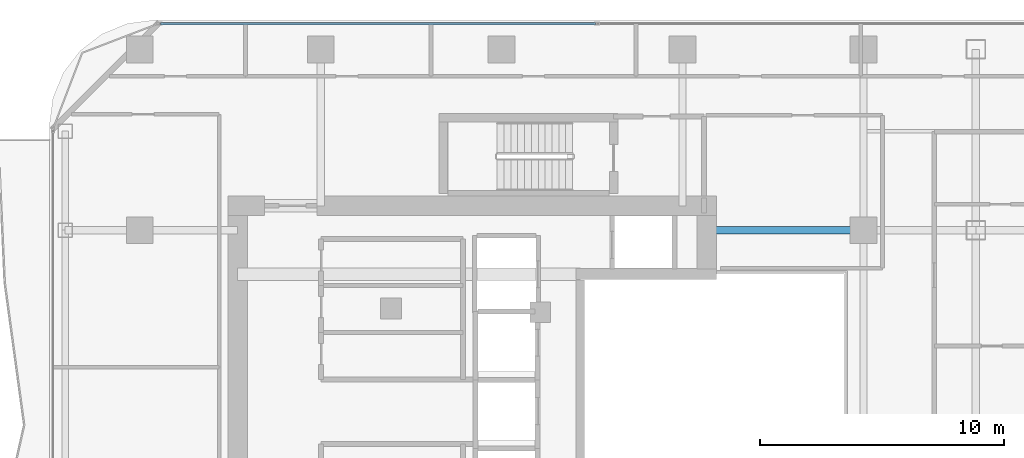
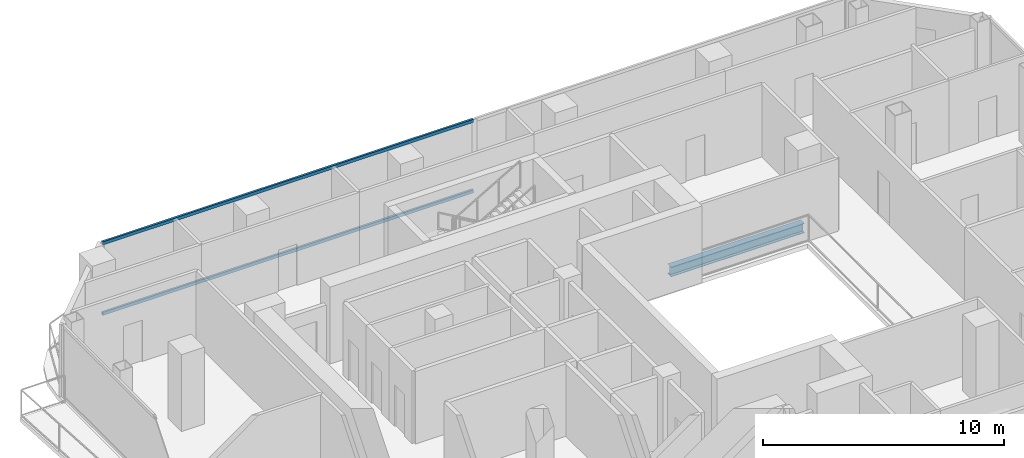
# One storey, part 14 of 27: 2 members, 1 beam, 1 element without a shape of its own.
"""IFC4 building model written with IfcOpenShell, lengths in metres."""

import ifcopenshell
import ifcopenshell.guid

model = None  # the IFC model being written
_history = None  # IfcOwnerHistory: only IFC2X3 demands one
_inside = {}  # id of a spatial element -> (the spatial element, [elements in it])
_under = {}  # id of a project, library or spatial element -> (it, [spatial elements below it])
_declared = {}  # id of a project -> (the project, [libraries it declares])
_typed = {}  # id of a type object -> (the type object, [elements of that type])
_made_of = {}  # id of a material, layer set ... -> (it, [elements and type objects made of it])


def new_model(schema):
    """Start an empty IFC model of exactly this schema.

    Asked for "IFC4X3", IfcOpenShell would pick the latest addendum, in which some entities
    have other attributes; the version numbers below select the first issue.
    IFC2X3 requires an IfcOwnerHistory on every rooted entity: one is made here for all.
    """
    global model, _history
    if schema == "IFC4X3":
        model = ifcopenshell.file(schema_version=(4, 3, 0, 0))
    else:
        model = ifcopenshell.file(schema=schema)
    _inside.clear()
    _under.clear()
    _declared.clear()
    _typed.clear()
    _made_of.clear()
    _history = None
    if model.schema == "IFC2X3":
        org = make("IfcOrganization", Name="unknown")
        user = make(
            "IfcPersonAndOrganization",
            ThePerson=make("IfcPerson", FamilyName="unknown"),
            TheOrganization=org,
        )
        app = make(
            "IfcApplication",
            ApplicationDeveloper=org,
            Version="unknown",
            ApplicationFullName="unknown",
            ApplicationIdentifier="unknown",
        )
        _history = make(
            "IfcOwnerHistory",
            OwningUser=user,
            OwningApplication=app,
            ChangeAction="ADDED",
            CreationDate=0,
        )
    return model


def make(cls, **values):
    """One entity of the class cls with the attributes given. An attribute that is None is left unset."""
    return model.create_entity(
        cls, **{name: value for name, value in values.items() if value is not None}
    )


def rooted(cls, **values):
    """An entity with a GlobalId (a new one), such as an element, a storey or a relation."""
    return make(cls, GlobalId=ifcopenshell.guid.new(), OwnerHistory=_history, **values)


def si_unit(unit_type, name, prefix=None):
    """IfcSIUnit, for example si_unit("LENGTHUNIT", "METRE", prefix="MILLI")."""
    return make("IfcSIUnit", UnitType=unit_type, Prefix=prefix, Name=name)


def assignment(units):
    """IfcUnitAssignment: the units of a project."""
    return None if units is None else make("IfcUnitAssignment", Units=units)


def point(xyz):
    """IfcCartesianPoint."""
    return None if xyz is None else make("IfcCartesianPoint", Coordinates=xyz)


def direction(xyz):
    """IfcDirection."""
    return None if xyz is None else make("IfcDirection", DirectionRatios=xyz)


def frame(location, z_axis=None, x_axis=None):
    """IfcAxis2Placement3D, a coordinate frame: its origin and axes. An axis left out is left unset."""
    return make(
        "IfcAxis2Placement3D",
        Location=point(location),
        Axis=direction(z_axis),
        RefDirection=direction(x_axis),
    )


def frame_2d(location, x_axis=None):
    """IfcAxis2Placement2D, a coordinate frame in the plane: its origin and x axis."""
    return make(
        "IfcAxis2Placement2D", Location=point(location), RefDirection=direction(x_axis)
    )


def origin():
    """The frame at (0, 0, 0) with its axes left unset."""
    return frame((0.0, 0.0, 0.0))


def origin_2d():
    """The frame at (0, 0) in the plane with its x axis left unset."""
    return frame_2d((0.0, 0.0))


def place(relative_to, where):
    """IfcLocalPlacement: puts the frame where relative to a parent placement (None: the world)."""
    return make(
        "IfcLocalPlacement", PlacementRelTo=relative_to, RelativePlacement=where
    )


def context(
    kind, dimensions, precision=None, world=None, true_north=None, identifier=None
):
    """IfcGeometricRepresentationContext, for example the 3D "Model" context."""
    return make(
        "IfcGeometricRepresentationContext",
        ContextIdentifier=identifier,
        ContextType=kind,
        CoordinateSpaceDimension=dimensions,
        Precision=precision,
        WorldCoordinateSystem=world,
        TrueNorth=true_north,
    )


def subcontext(parent, identifier, kind, view, scale=None):
    """IfcGeometricRepresentationSubContext, for example "Body" below "Model"."""
    return make(
        "IfcGeometricRepresentationSubContext",
        ContextIdentifier=identifier,
        ContextType=kind,
        ParentContext=parent,
        TargetScale=scale,
        TargetView=view,
    )


def project(units=None, contexts=None):
    """IfcProject with its units and contexts."""
    return rooted(
        "IfcProject",
        Name="project",
        RepresentationContexts=contexts,
        UnitsInContext=assignment(units),
    )


def spatial(cls, under=None, at=None, **own):
    """A site, building, storey or space (cls), placed at a placement, below another one or the project."""
    s = rooted(cls, ObjectPlacement=at, **own)
    if under is not None:
        _under.setdefault(under.id(), (under, []))[1].append(s)
    return s


def profile(cls, at=None, kind="AREA", **sizes):
    """A parametric profile (cls). Its sizes go by their IFC names, for example OverallWidth=200.0."""
    return make(cls, ProfileType=kind, Position=at, **sizes)


def hollow_rectangle(**sizes):
    """IfcRectangleHollowProfileDef."""
    return profile("IfcRectangleHollowProfileDef", **sizes)


def i_section(**sizes):
    """IfcIShapeProfileDef."""
    return profile("IfcIShapeProfileDef", **sizes)


def extrude(swept, where, along, depth):
    """IfcExtrudedAreaSolid: the profile swept, set in the frame where, extruded along a direction by depth."""
    return make(
        "IfcExtrudedAreaSolid",
        SweptArea=swept,
        Position=where,
        ExtrudedDirection=direction(along),
        Depth=depth,
    )


def shape(context_of_items, identifier, shape_type, items):
    """IfcShapeRepresentation: the items that make up one representation, for example the "Body"."""
    return make(
        "IfcShapeRepresentation",
        ContextOfItems=context_of_items,
        RepresentationIdentifier=identifier,
        RepresentationType=shape_type,
        Items=items,
    )


def material(Name=None, Category=None):
    """IfcMaterial."""
    return make("IfcMaterial", Name=Name, Category=Category)


def layer(
    of_material, thickness, ventilated=None, Name=None, Category=None, Priority=None
):
    """IfcMaterialLayer: one layer of a wall or slab, of a material (None: an air gap)."""
    return make(
        "IfcMaterialLayer",
        Material=of_material,
        LayerThickness=thickness,
        IsVentilated=ventilated,
        Name=Name,
        Category=Category,
        Priority=Priority,
    )


def layer_set(layers, Name=None):
    """IfcMaterialLayerSet."""
    return make("IfcMaterialLayerSet", MaterialLayers=layers, LayerSetName=Name)


def material_profile(
    of_material, cross_section, Name=None, Category=None, Priority=None
):
    """IfcMaterialProfile: a cross section and its material."""
    return make(
        "IfcMaterialProfile",
        Name=Name,
        Material=of_material,
        Profile=cross_section,
        Priority=Priority,
        Category=Category,
    )


def profile_set(profiles, Name=None, composite=None):
    """IfcMaterialProfileSet."""
    return make(
        "IfcMaterialProfileSet",
        Name=Name,
        MaterialProfiles=profiles,
        CompositeProfile=composite,
    )


def made_of(thing, what):
    """Note that an element or type object is made of a material, layer set ...; save() writes the relation."""
    if what is not None:
        _made_of.setdefault(what.id(), (what, []))[1].append(thing)
    return thing


def type_object(cls, material=None, **own):
    """A type object (cls), such as IfcWallType, which elements share."""
    return made_of(rooted(cls, **own), material)


def element(
    cls,
    number,
    at=None,
    inside=None,
    cuts=None,
    type_object=None,
    material=None,
    context=None,
    identifier="Body",
    shape_type=None,
    held_by="IfcProductDefinitionShape",
    body=None,
    shapes=None,
    **own,
):
    """One element of the class cls, such as IfcWall. Its Tag is "e" and its number.

    at: its placement. inside: the storey or other place that contains it. cuts: it is an
    opening in that element (IfcRelVoidsElement). A single representation is given by context,
    identifier, shape_type and body (its items); several are given by shapes. held_by: the class
    of the entity that holds the representations. save() writes the other relations.
    """
    e = rooted(cls, Tag="e%d" % number, ObjectPlacement=at, **own)
    if body is not None:
        shapes = [shape(context, identifier, shape_type, body)]
    if shapes is not None:
        e.Representation = make(held_by, Representations=shapes)
    if inside is not None:
        _inside.setdefault(inside.id(), (inside, []))[1].append(e)
    if cuts is not None:
        rooted(
            "IfcRelVoidsElement", RelatingBuildingElement=cuts, RelatedOpeningElement=e
        )
    if type_object is not None:
        _typed.setdefault(type_object.id(), (type_object, []))[1].append(e)
    return made_of(e, material)


def aggregate(whole, parts):
    """IfcRelAggregates: a whole, such as a stair, and the parts it consists of."""
    return rooted("IfcRelAggregates", RelatingObject=whole, RelatedObjects=parts)


def save(model, path):
    """Write the relations noted so far, then the file.

    IfcRelAggregates (storeys below a building ...), IfcRelContainedInSpatialStructure (elements
    in a storey), IfcRelDefinesByType, IfcRelAssociatesMaterial and IfcRelDeclares: one each for
    every whole, place, type object, material and project.
    """
    for whole, parts in _under.values():
        aggregate(whole, parts)
    for where, things in _inside.values():
        rooted(
            "IfcRelContainedInSpatialStructure",
            RelatedElements=things,
            RelatingStructure=where,
        )
    for kind, things in _typed.values():
        rooted("IfcRelDefinesByType", RelatedObjects=things, RelatingType=kind)
    for what, things in _made_of.values():
        rooted("IfcRelAssociatesMaterial", RelatedObjects=things, RelatingMaterial=what)
    for by, libraries in _declared.values():
        rooted("IfcRelDeclares", RelatingContext=by, RelatedDefinitions=libraries)
    model.write(path)


model = new_model("IFC4")

# Units and contexts
model_context = context("Model", 3, precision=1e-05, world=origin(), true_north=direction((0.0, 1.0)))
body_context = subcontext(model_context, "Body", "Model", "MODEL_VIEW")
ifc_project = project(units=[si_unit("LENGTHUNIT", "METRE"), si_unit("AREAUNIT", "SQUARE_METRE"), si_unit("VOLUMEUNIT", "CUBIC_METRE"), si_unit("PLANEANGLEUNIT", "RADIAN"), si_unit("MASSUNIT", "GRAM", prefix="KILO")], contexts=[model_context])

# Site, building, storey
site_placement = place(None, origin())
site = spatial("IfcSite", under=ifc_project, at=site_placement, CompositionType="ELEMENT")
building_placement = place(site_placement, origin())
building = spatial("IfcBuilding", under=site, at=building_placement, Name="Khorvyn Point Tower", CompositionType="ELEMENT")
storey_placement = place(building_placement, frame((0.0, 0.0, 227.39990234375)))
storey = spatial("IfcBuildingStorey", under=building, at=storey_placement, Name="L56", CompositionType="ELEMENT", Elevation=227.39990234375)

# Curtain wall, members
ifc_material_1 = material(Name="Anodised aluminium 6063-T6 and laminated Low-E glass", Category="aluminium")
ifc_layer = layer(ifc_material_1, 0.18994140625)
ifc_layer_set = layer_set([ifc_layer], Name="Stick-Built Acoustic Curtain Wall CW-SYS-03")
curtain_wall_type = type_object("IfcCurtainWallType", Name="Stick-Built Acoustic Curtain Wall CW-SYS-03", PredefinedType="NOTDEFINED", material=ifc_layer_set)
curtain_wall_placement = place(storey_placement, origin())
curtain_wall = element("IfcCurtainWall", 1, at=curtain_wall_placement, inside=storey, type_object=curtain_wall_type, Name="Curtain Wall", PredefinedType="NOTDEFINED")
ifc_material_2 = material(Name="Anodised aluminium 6063-T6", Category="aluminium")
ifc_material_profile_1 = material_profile(ifc_material_2, hollow_rectangle(XDim=0.10009765625, YDim=0.159912109375, WallThickness=0.00439453125, at=origin_2d()))
ifc_profile_set_1 = profile_set([ifc_material_profile_1], Name="Anodised aluminium 6063-T6 ALU-TRN-100x160")
member_type = type_object("IfcMemberType", Name="Anodised Aluminium 6063-T6 Transom ALU-TRN-100x160", PredefinedType="USERDEFINED", material=ifc_profile_set_1)
member_1_placement = place(storey_placement, frame((-13.949951171875, 15.85009765625, 0.050048828125), z_axis=(1.0, 0.0, 0.0), x_axis=(0.0, 1.0, 0.0)))
member_1 = element("IfcMember", 2, at=member_1_placement, type_object=member_type, Name="Transom", ObjectType="TRANSOM", PredefinedType="USERDEFINED", context=body_context, shape_type="SweptSolid", body=[
    extrude(hollow_rectangle(XDim=0.10009765625, YDim=0.159912109375, WallThickness=0.00439453125, at=origin_2d()), origin(), (0.0, 0.0, 1.0), 17.800048828125),
])
member_2_placement = place(storey_placement, frame((-13.949951171875, 15.85009765625, 3.630126953125), z_axis=(1.0, 0.0, 0.0), x_axis=(0.0, 1.0, 0.0)))
member_2 = element("IfcMember", 3, at=member_2_placement, type_object=member_type, Name="Transom", ObjectType="TRANSOM", PredefinedType="USERDEFINED", context=body_context, shape_type="SweptSolid", body=[
    extrude(hollow_rectangle(XDim=0.10009765625, YDim=0.159912109375, WallThickness=0.00439453125, at=origin_2d()), origin(), (0.0, 0.0, 1.0), 17.800048828125),
])
aggregate(curtain_wall, [member_1, member_2])

# Beam
ifc_material_3 = material(Name="Steel S355", Category="steel")
ifc_material_profile_2 = material_profile(ifc_material_3, i_section(OverallWidth=0.300048828125, OverallDepth=0.488037109375, WebThickness=0.010986328125, FlangeThickness=0.01806640625, at=origin_2d()))
ifc_profile_set_2 = profile_set([ifc_material_profile_2], Name="Steel S355 H488x300x11x18")
beam_type = type_object("IfcBeamType", Name="Steel S355 Spandrel H488x300x11x18", PredefinedType="SPANDREL", material=ifc_profile_set_2)
beam_placement = place(storey_placement, frame((8.39990234375, 7.39990234375, -0.4638671875), z_axis=(1.0, 0.0, 0.0), x_axis=(0.0, 1.0, 0.0)))
element("IfcBeam", 4, at=beam_placement, inside=storey, type_object=beam_type, Name="Beam", PredefinedType="SPANDREL", context=body_context, shape_type="SweptSolid", body=[
    extrude(i_section(OverallWidth=0.300048828125, OverallDepth=0.488037109375, WebThickness=0.010986328125, FlangeThickness=0.01806640625, at=origin_2d()), origin(), (0.0, 0.0, 1.0), 6.400146484375),
])

save(model, "model.ifc")
